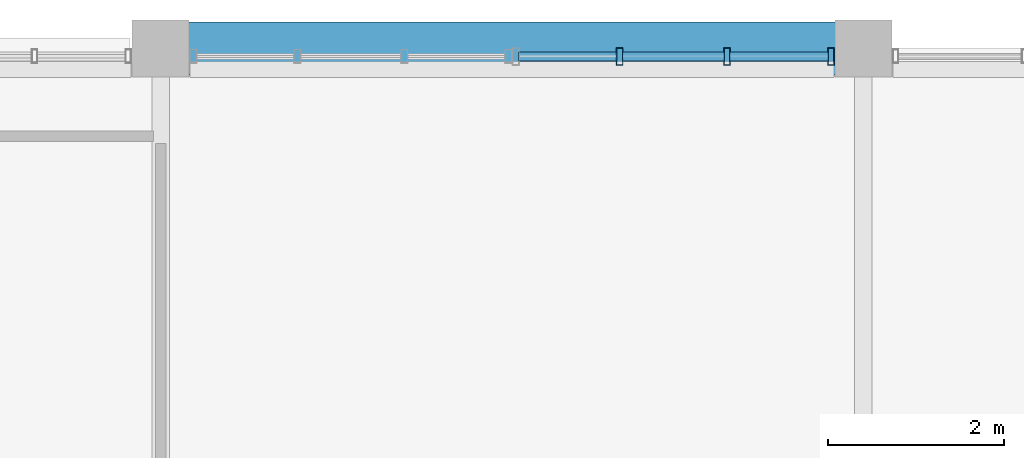
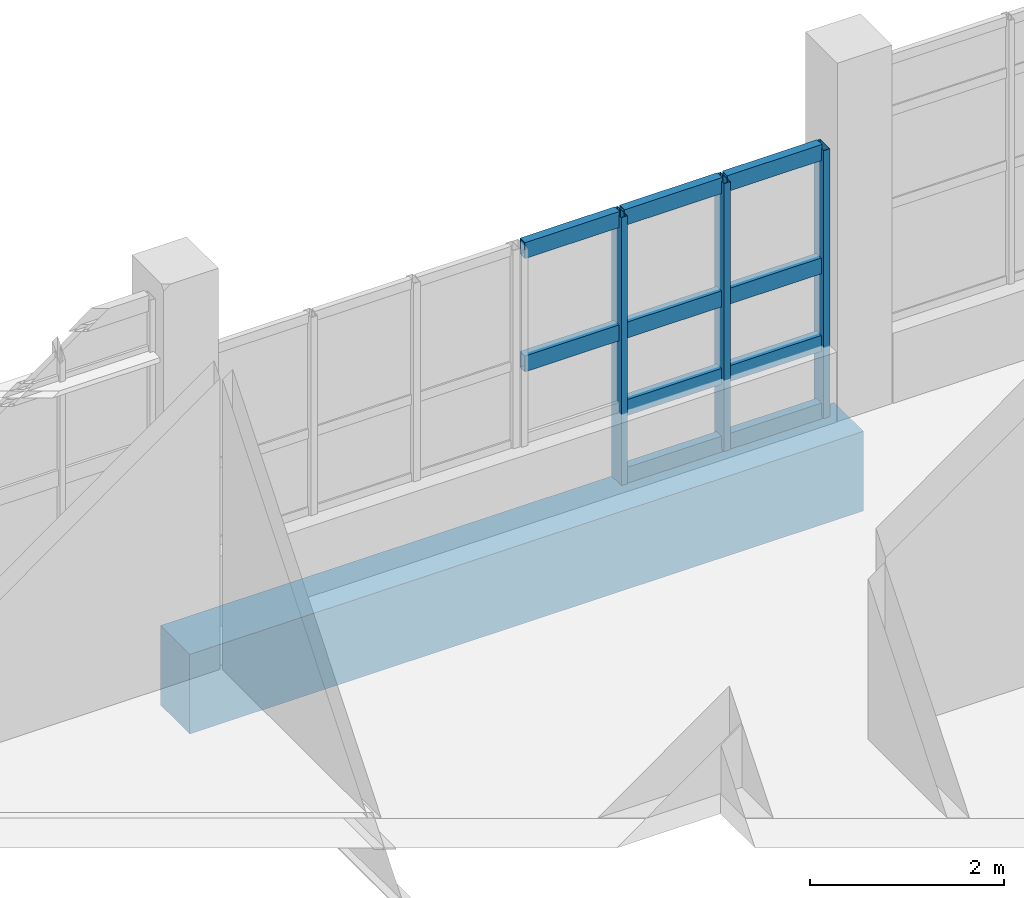
# One storey, part 40 of 85: 13 members, 1 beam, 1 element without a shape of its own.
"""IFC4 building model written with IfcOpenShell, lengths in metres."""

from ifc_helpers import new_model, si_unit, derived_unit, direction, frame, origin, origin_2d, place, context, subcontext, project, spatial, rectangle, hollow_rectangle, extrude, material, layer, layer_set, material_profile, profile_set, type_object, element, aggregate, save


model = new_model("IFC4")

# Units and contexts
model_context = context("Model", 3, precision=1e-05, world=origin(), true_north=direction((0.0, 1.0)))
body_context = subcontext(model_context, "Body", "Model", "MODEL_VIEW")
ifc_project = project(units=[si_unit("LENGTHUNIT", "METRE"), si_unit("AREAUNIT", "SQUARE_METRE"), si_unit("VOLUMEUNIT", "CUBIC_METRE"), si_unit("PLANEANGLEUNIT", "RADIAN"), si_unit("MASSUNIT", "GRAM", prefix="KILO"), derived_unit("THERMALTRANSMITTANCEUNIT", [(si_unit("POWERUNIT", "WATT"), 1), (si_unit("LENGTHUNIT", "METRE"), -2), (si_unit("THERMODYNAMICTEMPERATUREUNIT", "KELVIN"), -1)])], contexts=[model_context])

# Site, building, storey
site_placement = place(None, origin())
site = spatial("IfcSite", under=ifc_project, at=site_placement, CompositionType="ELEMENT")
building_placement = place(site_placement, origin())
building = spatial("IfcBuilding", under=site, at=building_placement, Name="Nallur Shell Playhouse", CompositionType="ELEMENT")
storey_placement = place(building_placement, frame((0.0, 0.0, 19.800048828125)))
storey = spatial("IfcBuildingStorey", under=building, at=storey_placement, Name="L05", CompositionType="ELEMENT", Elevation=19.800048828125)

# Beam
ifc_material_1 = material(Name="Concrete M40", Category="concrete")
ifc_material_profile_1 = material_profile(ifc_material_1, rectangle(XDim=0.60009765625, YDim=1.0, at=origin_2d()), Name="RC 600x1000")
ifc_profile_set_1 = profile_set([ifc_material_profile_1], Name="Concrete M40")
beam_type = type_object("IfcBeamType", Name="BM-RC-600x1000", PredefinedType="BEAM", material=ifc_profile_set_1)
beam_placement = place(storey_placement, frame((40.0, 83.0, -0.75), z_axis=(1.0, 0.0, 0.0), x_axis=(0.0, 1.0, 0.0)))
element("IfcBeam", 1, at=beam_placement, inside=storey, type_object=beam_type, Name="L05 girder X-K-988", PredefinedType="BEAM", context=body_context, shape_type="SweptSolid", body=[
    extrude(rectangle(XDim=0.60009765625, YDim=1.0, at=origin_2d()), origin(), (0.0, 0.0, 1.0), 8.0),
])

# Curtain wall, members
ifc_material_2 = material(Name="Anodised Aluminium Double-Glazed Facade System", Category="aluminium")
ifc_layer = layer(ifc_material_2, 0.16796875)
ifc_layer_set = layer_set([ifc_layer], Name="Anodised Aluminium Double-Glazed Facade System")
curtain_wall_type = type_object("IfcCurtainWallType", Name="CW-UNIT-02", PredefinedType="NOTDEFINED", material=ifc_layer_set)
curtain_wall_placement = place(storey_placement, origin())
curtain_wall = element("IfcCurtainWall", 2, at=curtain_wall_placement, inside=storey, type_object=curtain_wall_type, Name="Unitised curtain wall CW-162 (L05)", PredefinedType="NOTDEFINED")
ifc_material_3 = material(Name="Aluminium Alloy 6063-T6 Mullion", Category="aluminium")
ifc_material_profile_2 = material_profile(ifc_material_3, hollow_rectangle(XDim=0.074951171875, YDim=0.199951171875, WallThickness=0.0048828125, at=origin_2d()), Name="ALU 75x200x5")
ifc_profile_set_2 = profile_set([ifc_material_profile_2], Name="Aluminium Alloy 6063-T6 Mullion")
member_type_1 = type_object("IfcMemberType", Name="MB-CW-MUL180", PredefinedType="MULLION", material=ifc_profile_set_2)
member_1_placement = place(storey_placement, frame((45.2255859375, 82.909912109375, -0.01513671875), z_axis=(0.0, 0.0, 1.0), x_axis=(1.0, 0.0, 0.0)))
member_1 = element("IfcMember", 3, at=member_1_placement, type_object=member_type_1, Name="CW-02 mullion 2", PredefinedType="MULLION", context=body_context, shape_type="SweptSolid", body=[
    extrude(hollow_rectangle(XDim=0.074951171875, YDim=0.199951171875, WallThickness=0.0048828125, at=origin_2d()), origin(), (0.0, 0.0, 1.0), 3.364013671875),
])
member_2_placement = place(storey_placement, frame((46.4462890625, 82.909912109375, -0.01513671875), z_axis=(0.0, 0.0, 1.0), x_axis=(1.0, 0.0, 0.0)))
member_2 = element("IfcMember", 4, at=member_2_placement, type_object=member_type_1, Name="CW-02 mullion 3", PredefinedType="MULLION", context=body_context, shape_type="SweptSolid", body=[
    extrude(hollow_rectangle(XDim=0.074951171875, YDim=0.199951171875, WallThickness=0.0048828125, at=origin_2d()), origin(), (0.0, 0.0, 1.0), 3.364013671875),
])
member_3_placement = place(storey_placement, frame((47.62939453125, 82.909912109375, -0.01513671875), z_axis=(0.0, 0.0, 1.0), x_axis=(1.0, 0.0, 0.0)))
member_3 = element("IfcMember", 5, at=member_3_placement, type_object=member_type_1, Name="CW-02 mullion 4", PredefinedType="MULLION", context=body_context, shape_type="SweptSolid", body=[
    extrude(hollow_rectangle(XDim=0.074951171875, YDim=0.199951171875, WallThickness=0.0048828125, at=origin_2d()), origin(), (0.0, 0.0, 1.0), 3.364013671875),
])
ifc_material_4 = material(Name="Aluminium Alloy 6063-T6 Transom", Category="aluminium")
ifc_material_profile_3 = material_profile(ifc_material_4, hollow_rectangle(XDim=0.10009765625, YDim=0.199951171875, WallThickness=0.008056640625, at=origin_2d()), Name="RHS 200x100x8")
ifc_profile_set_3 = profile_set([ifc_material_profile_3], Name="Aluminium Alloy 6063-T6 Transom")
member_type_2 = type_object("IfcMemberType", Name="MB-CW-TRN140", PredefinedType="USERDEFINED", material=ifc_profile_set_3)
member_4_placement = place(storey_placement, frame((44.072021484375, 82.909912109375, 1.873046875), z_axis=(1.0, 0.0, 0.0), x_axis=(0.0, 1.0, 0.0)))
member_4 = element("IfcMember", 6, at=member_4_placement, type_object=member_type_2, Name="CW-02 transom 1.3", ObjectType="TRANSOM", PredefinedType="USERDEFINED", context=body_context, shape_type="SweptSolid", body=[
    extrude(hollow_rectangle(XDim=0.10009765625, YDim=0.199951171875, WallThickness=0.008056640625, at=origin_2d()), origin(), (0.0, 0.0, 1.0), 1.1240234375),
])
member_5_placement = place(storey_placement, frame((44.072021484375, 82.909912109375, 3.294921875), z_axis=(1.0, 0.0, 0.0), x_axis=(0.0, 1.0, 0.0)))
member_5 = element("IfcMember", 7, at=member_5_placement, type_object=member_type_2, Name="CW-02 transom 1.4", ObjectType="TRANSOM", PredefinedType="USERDEFINED", context=body_context, shape_type="SweptSolid", body=[
    extrude(hollow_rectangle(XDim=0.10009765625, YDim=0.199951171875, WallThickness=0.008056640625, at=origin_2d()), origin(), (0.0, 0.0, 1.0), 1.1240234375),
])
member_6_placement = place(storey_placement, frame((45.255126953125, 82.909912109375, 0.050048828125), z_axis=(1.0, 0.0, 0.0), x_axis=(0.0, 1.0, 0.0)))
member_6 = element("IfcMember", 8, at=member_6_placement, type_object=member_type_2, Name="CW-02 transom 2.1", ObjectType="TRANSOM", PredefinedType="USERDEFINED", context=body_context, shape_type="SweptSolid", body=[
    extrude(hollow_rectangle(XDim=0.10009765625, YDim=0.199951171875, WallThickness=0.008056640625, at=origin_2d()), origin(), (0.0, 0.0, 1.0), 1.16162109375),
])
member_7_placement = place(storey_placement, frame((45.255126953125, 82.909912109375, 0.89990234375), z_axis=(1.0, 0.0, 0.0), x_axis=(0.0, 1.0, 0.0)))
member_7 = element("IfcMember", 9, at=member_7_placement, type_object=member_type_2, Name="CW-02 transom 2.2", ObjectType="TRANSOM", PredefinedType="USERDEFINED", context=body_context, shape_type="SweptSolid", body=[
    extrude(hollow_rectangle(XDim=0.10009765625, YDim=0.199951171875, WallThickness=0.008056640625, at=origin_2d()), origin(), (0.0, 0.0, 1.0), 1.16162109375),
])
member_8_placement = place(storey_placement, frame((45.255126953125, 82.909912109375, 1.873046875), z_axis=(1.0, 0.0, 0.0), x_axis=(0.0, 1.0, 0.0)))
member_8 = element("IfcMember", 10, at=member_8_placement, type_object=member_type_2, Name="CW-02 transom 2.3", ObjectType="TRANSOM", PredefinedType="USERDEFINED", context=body_context, shape_type="SweptSolid", body=[
    extrude(hollow_rectangle(XDim=0.10009765625, YDim=0.199951171875, WallThickness=0.008056640625, at=origin_2d()), origin(), (0.0, 0.0, 1.0), 1.16162109375),
])
member_9_placement = place(storey_placement, frame((45.255126953125, 82.909912109375, 3.294921875), z_axis=(1.0, 0.0, 0.0), x_axis=(0.0, 1.0, 0.0)))
member_9 = element("IfcMember", 11, at=member_9_placement, type_object=member_type_2, Name="CW-02 transom 2.4", ObjectType="TRANSOM", PredefinedType="USERDEFINED", context=body_context, shape_type="SweptSolid", body=[
    extrude(hollow_rectangle(XDim=0.10009765625, YDim=0.199951171875, WallThickness=0.008056640625, at=origin_2d()), origin(), (0.0, 0.0, 1.0), 1.16162109375),
])
member_10_placement = place(storey_placement, frame((46.475830078125, 82.909912109375, 0.050048828125), z_axis=(1.0, 0.0, 0.0), x_axis=(0.0, 1.0, 0.0)))
member_10 = element("IfcMember", 12, at=member_10_placement, type_object=member_type_2, Name="CW-02 transom 3.1", ObjectType="TRANSOM", PredefinedType="USERDEFINED", context=body_context, shape_type="SweptSolid", body=[
    extrude(hollow_rectangle(XDim=0.10009765625, YDim=0.199951171875, WallThickness=0.008056640625, at=origin_2d()), origin(), (0.0, 0.0, 1.0), 1.124267578125),
])
member_11_placement = place(storey_placement, frame((46.475830078125, 82.909912109375, 0.89990234375), z_axis=(1.0, 0.0, 0.0), x_axis=(0.0, 1.0, 0.0)))
member_11 = element("IfcMember", 13, at=member_11_placement, type_object=member_type_2, Name="CW-02 transom 3.2", ObjectType="TRANSOM", PredefinedType="USERDEFINED", context=body_context, shape_type="SweptSolid", body=[
    extrude(hollow_rectangle(XDim=0.10009765625, YDim=0.199951171875, WallThickness=0.008056640625, at=origin_2d()), origin(), (0.0, 0.0, 1.0), 1.124267578125),
])
member_12_placement = place(storey_placement, frame((46.475830078125, 82.909912109375, 1.873046875), z_axis=(1.0, 0.0, 0.0), x_axis=(0.0, 1.0, 0.0)))
member_12 = element("IfcMember", 14, at=member_12_placement, type_object=member_type_2, Name="CW-02 transom 3.3", ObjectType="TRANSOM", PredefinedType="USERDEFINED", context=body_context, shape_type="SweptSolid", body=[
    extrude(hollow_rectangle(XDim=0.10009765625, YDim=0.199951171875, WallThickness=0.008056640625, at=origin_2d()), origin(), (0.0, 0.0, 1.0), 1.124267578125),
])
member_13_placement = place(storey_placement, frame((46.475830078125, 82.909912109375, 3.294921875), z_axis=(1.0, 0.0, 0.0), x_axis=(0.0, 1.0, 0.0)))
member_13 = element("IfcMember", 15, at=member_13_placement, type_object=member_type_2, Name="CW-02 transom 3.4", ObjectType="TRANSOM", PredefinedType="USERDEFINED", context=body_context, shape_type="SweptSolid", body=[
    extrude(hollow_rectangle(XDim=0.10009765625, YDim=0.199951171875, WallThickness=0.008056640625, at=origin_2d()), origin(), (0.0, 0.0, 1.0), 1.124267578125),
])
aggregate(curtain_wall, [member_1, member_2, member_3, member_4, member_5, member_6, member_7, member_8, member_9, member_10, member_11, member_12, member_13])

save(model, "model.ifc")
